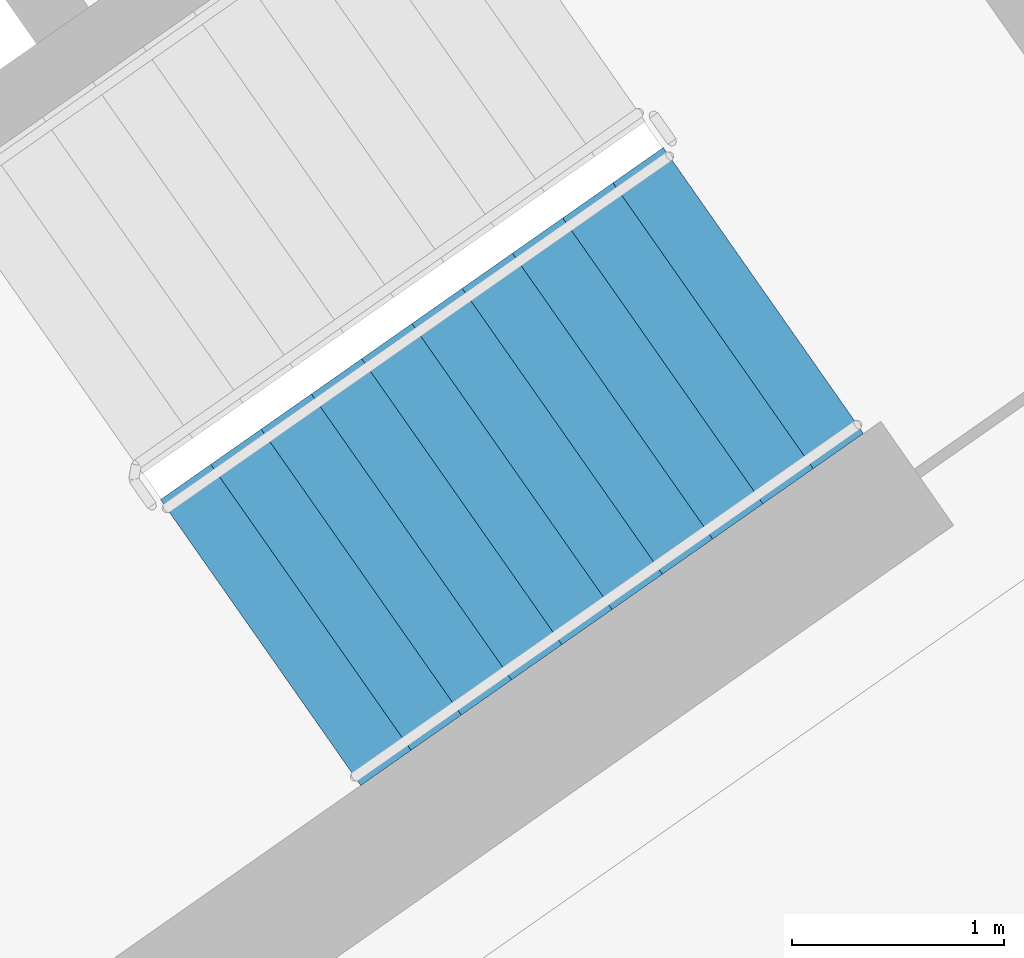
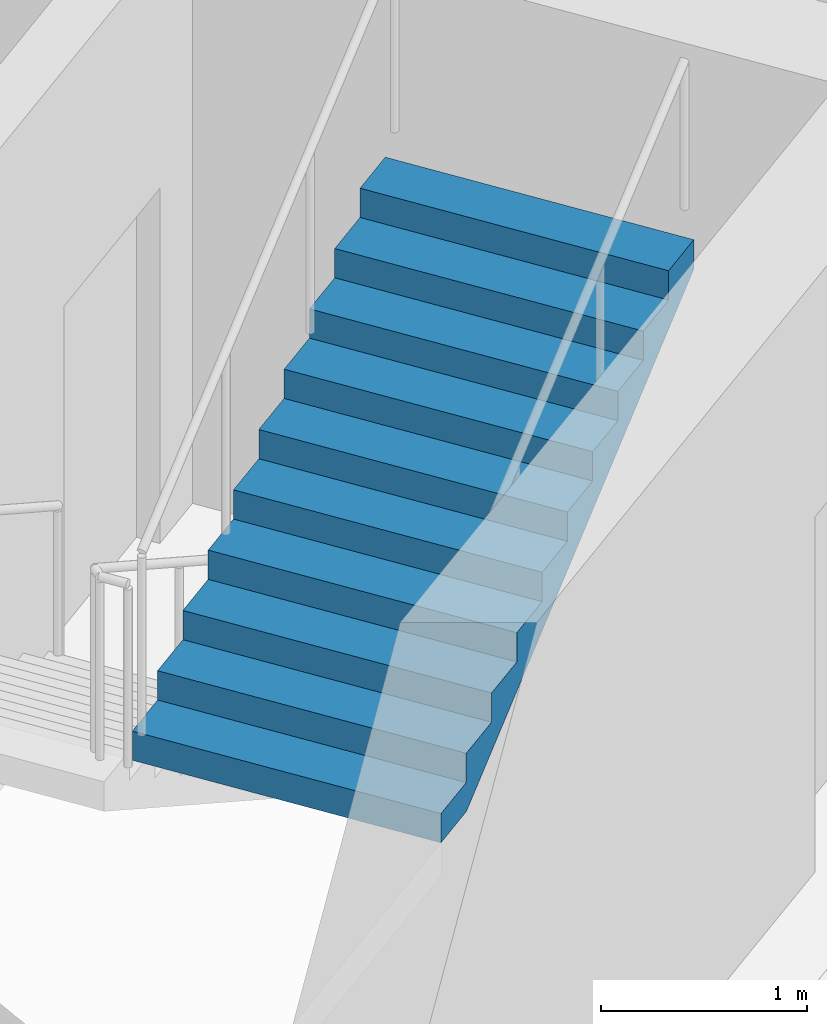
# One storey, part 15 of 27: 1 stair flight, 1 element without a shape of its own.
"""IFC4 building model written with IfcOpenShell, lengths in metres."""

from ifc_helpers import new_model, si_unit, direction, frame, origin, place, context, subcontext, project, spatial, faceted_brep, material, type_object, element, aggregate, save


model = new_model("IFC4")

# Units and contexts
model_context = context("Model", 3, precision=1e-05, world=origin(), true_north=direction((0.0, 1.0)))
body_context = subcontext(model_context, "Body", "Model", "MODEL_VIEW")
ifc_project = project(units=[si_unit("LENGTHUNIT", "METRE"), si_unit("AREAUNIT", "SQUARE_METRE"), si_unit("VOLUMEUNIT", "CUBIC_METRE"), si_unit("PLANEANGLEUNIT", "RADIAN"), si_unit("MASSUNIT", "GRAM", prefix="KILO")], contexts=[model_context])

# Site, building, storey
site_placement = place(None, origin())
site = spatial("IfcSite", under=ifc_project, at=site_placement, CompositionType="ELEMENT")
building_placement = place(site_placement, origin())
building = spatial("IfcBuilding", under=site, at=building_placement, Name="Qamariyya Broadcast Tower", CompositionType="ELEMENT")
storey_placement = place(building_placement, frame((0.0, 0.0, 187.300048828125)))
storey = spatial("IfcBuildingStorey", under=building, at=storey_placement, Name="L44", CompositionType="ELEMENT", Elevation=187.300048828125)

# Stair, stair flight
ifc_material = material(Name="Concrete C50/60", Category="concrete")
stair_type = type_object("IfcStairType", Name="Exit stair 22 risers of 173 mm", PredefinedType="HALF_TURN_STAIR", material=ifc_material)
stair_placement = place(storey_placement, origin())
stair = element("IfcStair", 1, at=stair_placement, inside=storey, type_object=stair_type, Name="L44 Stair E1", PredefinedType="HALF_TURN_STAIR")
stair_flight_type = type_object("IfcStairFlightType", Name="Exit stair flight 11 risers of 173 mm", PredefinedType="STRAIGHT", material=ifc_material)
stair_flight_placement = place(storey_placement, frame((44.693359375, -58.64599609375, 1.89990234375), z_axis=(0.0, 0.0, 1.0), x_axis=(0.819152044289, 0.573576436351, 0.0)))
stair_flight = element("IfcStairFlight", 2, at=stair_flight_placement, type_object=stair_flight_type, Name="ST-E1 flight 2", NumberOfRisers=11, NumberOfTreads=10, PredefinedType="STRAIGHT", RiserHeight=0.172727273, TreadLength=0.29, context=body_context, shape_type="Brep", body=[
    faceted_brep([(0.0, 0.824951171875, 0.0), (0.0, 0.824951171875, 0.172607421875), (0.2900390625, 0.824951171875, 0.172607421875), (0.2900390625, 0.824951171875, 0.345458984375), (0.580078125, 0.824951171875, 0.345458984375), (0.580078125, 0.824951171875, 0.51806640625), (0.8701171875, 0.824951171875, 0.51806640625), (0.8701171875, 0.824951171875, 0.69091796875), (1.159912109375, 0.824951171875, 0.69091796875), (1.159912109375, 0.824951171875, 0.863525390625), (1.449951171875, 0.824951171875, 0.863525390625), (1.449951171875, 0.824951171875, 1.036376953125), (1.739990234375, 0.824951171875, 1.036376953125), (1.739990234375, 0.824951171875, 1.208984375), (2.030029296875, 0.824951171875, 1.208984375), (2.030029296875, 0.824951171875, 1.3818359375), (2.320068359375, 0.824951171875, 1.3818359375), (2.320068359375, 0.824951171875, 1.554443359375), (2.610107421875, 0.824951171875, 1.554443359375), (2.610107421875, 0.824951171875, 1.727294921875), (2.89990234375, 0.824951171875, 1.727294921875), (2.89990234375, 0.824951171875, 1.552734375), (0.29296875, 0.824951171875, 0.0), (0.29296875, -0.824951171875, 0.0), (2.89990234375, -0.824951171875, 1.552734375), (2.89990234375, -0.824951171875, 1.727294921875), (2.610107421875, -0.824951171875, 1.727294921875), (2.610107421875, -0.824951171875, 1.554443359375), (2.320068359375, -0.824951171875, 1.554443359375), (2.320068359375, -0.824951171875, 1.3818359375), (2.030029296875, -0.824951171875, 1.3818359375), (2.030029296875, -0.824951171875, 1.208984375), (1.739990234375, -0.824951171875, 1.208984375), (1.739990234375, -0.824951171875, 1.036376953125), (1.449951171875, -0.824951171875, 1.036376953125), (1.449951171875, -0.824951171875, 0.863525390625), (1.159912109375, -0.824951171875, 0.863525390625), (1.159912109375, -0.824951171875, 0.69091796875), (0.8701171875, -0.824951171875, 0.69091796875), (0.8701171875, -0.824951171875, 0.51806640625), (0.580078125, -0.824951171875, 0.51806640625), (0.580078125, -0.824951171875, 0.345458984375), (0.2900390625, -0.824951171875, 0.345458984375), (0.2900390625, -0.824951171875, 0.172607421875), (0.0, -0.824951171875, 0.172607421875), (0.0, -0.824951171875, 0.0), (0.0, 0.10009765625, 0.0), (0.0, 0.086669921875, 0.0), (0.0, 0.0732421875, 0.0), (0.0, 0.06005859375, 0.0), (0.0, 0.046630859375, 0.0), (0.0, 0.033447265625, 0.0), (0.0, 0.02001953125, 0.0), (0.0, 0.006591796875, 0.0), (0.0, -0.006591796875, 0.0), (0.0, -0.02001953125, 0.0), (0.0, -0.033447265625, 0.0), (0.0, -0.046630859375, 0.0), (0.0, -0.06005859375, 0.0), (0.0, -0.0732421875, 0.0), (0.0, -0.086669921875, 0.0), (0.0, -0.10009765625, 0.0), (0.0, -0.10009765625, 0.172607421875), (0.0, -0.086669921875, 0.172607421875), (0.0, -0.0732421875, 0.172607421875), (0.0, -0.06005859375, 0.172607421875), (0.0, -0.046630859375, 0.172607421875), (0.0, -0.033447265625, 0.172607421875), (0.0, -0.02001953125, 0.172607421875), (0.0, -0.006591796875, 0.172607421875), (0.0, 0.006591796875, 0.172607421875), (0.0, 0.02001953125, 0.172607421875), (0.0, 0.033447265625, 0.172607421875), (0.0, 0.046630859375, 0.172607421875), (0.0, 0.06005859375, 0.172607421875), (0.0, 0.0732421875, 0.172607421875), (0.0, 0.086669921875, 0.172607421875), (0.0, 0.10009765625, 0.172607421875), (0.2900390625, -0.10009765625, 0.172607421875), (0.2900390625, -0.086669921875, 0.172607421875), (0.2900390625, -0.0732421875, 0.172607421875), (0.2900390625, -0.06005859375, 0.172607421875), (0.2900390625, -0.046630859375, 0.172607421875), (0.2900390625, -0.033447265625, 0.172607421875), (0.2900390625, -0.02001953125, 0.172607421875), (0.2900390625, -0.006591796875, 0.172607421875), (0.2900390625, 0.006591796875, 0.172607421875), (0.2900390625, 0.02001953125, 0.172607421875), (0.2900390625, 0.033447265625, 0.172607421875), (0.2900390625, 0.046630859375, 0.172607421875), (0.2900390625, 0.06005859375, 0.172607421875), (0.2900390625, 0.0732421875, 0.172607421875), (0.2900390625, 0.086669921875, 0.172607421875), (0.2900390625, 0.10009765625, 0.172607421875), (0.2900390625, -0.10009765625, 0.345458984375), (0.2900390625, -0.086669921875, 0.345458984375), (0.2900390625, -0.0732421875, 0.345458984375), (0.2900390625, -0.06005859375, 0.345458984375), (0.2900390625, -0.046630859375, 0.345458984375), (0.2900390625, -0.033447265625, 0.345458984375), (0.2900390625, -0.02001953125, 0.345458984375), (0.2900390625, -0.006591796875, 0.345458984375), (0.2900390625, 0.006591796875, 0.345458984375), (0.2900390625, 0.02001953125, 0.345458984375), (0.2900390625, 0.033447265625, 0.345458984375), (0.2900390625, 0.046630859375, 0.345458984375), (0.2900390625, 0.06005859375, 0.345458984375), (0.2900390625, 0.0732421875, 0.345458984375), (0.2900390625, 0.086669921875, 0.345458984375), (0.2900390625, 0.10009765625, 0.345458984375), (0.580078125, -0.10009765625, 0.345458984375), (0.580078125, -0.086669921875, 0.345458984375), (0.580078125, -0.0732421875, 0.345458984375), (0.580078125, -0.06005859375, 0.345458984375), (0.580078125, -0.046630859375, 0.345458984375), (0.580078125, -0.033447265625, 0.345458984375), (0.580078125, -0.02001953125, 0.345458984375), (0.580078125, -0.006591796875, 0.345458984375), (0.580078125, 0.006591796875, 0.345458984375), (0.580078125, 0.02001953125, 0.345458984375), (0.580078125, 0.033447265625, 0.345458984375), (0.580078125, 0.046630859375, 0.345458984375), (0.580078125, 0.06005859375, 0.345458984375), (0.580078125, 0.0732421875, 0.345458984375), (0.580078125, 0.086669921875, 0.345458984375), (0.580078125, 0.10009765625, 0.345458984375), (0.580078125, -0.10009765625, 0.51806640625), (0.580078125, -0.086669921875, 0.51806640625), (0.580078125, -0.0732421875, 0.51806640625), (0.580078125, -0.06005859375, 0.51806640625), (0.580078125, -0.046630859375, 0.51806640625), (0.580078125, -0.033447265625, 0.51806640625), (0.580078125, -0.02001953125, 0.51806640625), (0.580078125, -0.006591796875, 0.51806640625), (0.580078125, 0.006591796875, 0.51806640625), (0.580078125, 0.02001953125, 0.51806640625), (0.580078125, 0.033447265625, 0.51806640625), (0.580078125, 0.046630859375, 0.51806640625), (0.580078125, 0.06005859375, 0.51806640625), (0.580078125, 0.0732421875, 0.51806640625), (0.580078125, 0.086669921875, 0.51806640625), (0.580078125, 0.10009765625, 0.51806640625), (0.8701171875, -0.10009765625, 0.51806640625), (0.8701171875, -0.086669921875, 0.51806640625), (0.8701171875, -0.0732421875, 0.51806640625), (0.8701171875, -0.06005859375, 0.51806640625), (0.8701171875, -0.046630859375, 0.51806640625), (0.8701171875, -0.033447265625, 0.51806640625), (0.8701171875, -0.02001953125, 0.51806640625), (0.8701171875, -0.006591796875, 0.51806640625), (0.8701171875, 0.006591796875, 0.51806640625), (0.8701171875, 0.02001953125, 0.51806640625), (0.8701171875, 0.033447265625, 0.51806640625), (0.8701171875, 0.046630859375, 0.51806640625), (0.8701171875, 0.06005859375, 0.51806640625), (0.8701171875, 0.0732421875, 0.51806640625), (0.8701171875, 0.086669921875, 0.51806640625), (0.8701171875, 0.10009765625, 0.51806640625), (0.8701171875, -0.10009765625, 0.69091796875), (0.8701171875, -0.086669921875, 0.69091796875), (0.8701171875, -0.0732421875, 0.69091796875), (0.8701171875, -0.06005859375, 0.69091796875), (0.8701171875, -0.046630859375, 0.69091796875), (0.8701171875, -0.033447265625, 0.69091796875), (0.8701171875, -0.02001953125, 0.69091796875), (0.8701171875, -0.006591796875, 0.69091796875), (0.8701171875, 0.006591796875, 0.69091796875), (0.8701171875, 0.02001953125, 0.69091796875), (0.8701171875, 0.033447265625, 0.69091796875), (0.8701171875, 0.046630859375, 0.69091796875), (0.8701171875, 0.06005859375, 0.69091796875), (0.8701171875, 0.0732421875, 0.69091796875), (0.8701171875, 0.086669921875, 0.69091796875), (0.8701171875, 0.10009765625, 0.69091796875), (1.159912109375, -0.10009765625, 0.69091796875), (1.159912109375, -0.086669921875, 0.69091796875), (1.159912109375, -0.0732421875, 0.69091796875), (1.159912109375, -0.06005859375, 0.69091796875), (1.159912109375, -0.046630859375, 0.69091796875), (1.159912109375, -0.033447265625, 0.69091796875), (1.159912109375, -0.02001953125, 0.69091796875), (1.159912109375, -0.006591796875, 0.69091796875), (1.159912109375, 0.006591796875, 0.69091796875), (1.159912109375, 0.02001953125, 0.69091796875), (1.159912109375, 0.033447265625, 0.69091796875), (1.159912109375, 0.046630859375, 0.69091796875), (1.159912109375, 0.06005859375, 0.69091796875), (1.159912109375, 0.0732421875, 0.69091796875), (1.159912109375, 0.086669921875, 0.69091796875), (1.159912109375, 0.10009765625, 0.69091796875), (1.159912109375, -0.10009765625, 0.863525390625), (1.159912109375, -0.086669921875, 0.863525390625), (1.159912109375, -0.0732421875, 0.863525390625), (1.159912109375, -0.06005859375, 0.863525390625), (1.159912109375, -0.046630859375, 0.863525390625), (1.159912109375, -0.033447265625, 0.863525390625), (1.159912109375, -0.02001953125, 0.863525390625), (1.159912109375, -0.006591796875, 0.863525390625), (1.159912109375, 0.006591796875, 0.863525390625), (1.159912109375, 0.02001953125, 0.863525390625), (1.159912109375, 0.033447265625, 0.863525390625), (1.159912109375, 0.046630859375, 0.863525390625), (1.159912109375, 0.06005859375, 0.863525390625), (1.159912109375, 0.0732421875, 0.863525390625), (1.159912109375, 0.086669921875, 0.863525390625), (1.159912109375, 0.10009765625, 0.863525390625), (1.449951171875, -0.10009765625, 0.863525390625), (1.449951171875, -0.086669921875, 0.863525390625), (1.449951171875, -0.0732421875, 0.863525390625), (1.449951171875, -0.06005859375, 0.863525390625), (1.449951171875, -0.046630859375, 0.863525390625), (1.449951171875, -0.033447265625, 0.863525390625), (1.449951171875, -0.02001953125, 0.863525390625), (1.449951171875, -0.006591796875, 0.863525390625), (1.449951171875, 0.006591796875, 0.863525390625), (1.449951171875, 0.02001953125, 0.863525390625), (1.449951171875, 0.033447265625, 0.863525390625), (1.449951171875, 0.046630859375, 0.863525390625), (1.449951171875, 0.06005859375, 0.863525390625), (1.449951171875, 0.0732421875, 0.863525390625), (1.449951171875, 0.086669921875, 0.863525390625), (1.449951171875, 0.10009765625, 0.863525390625), (1.449951171875, -0.10009765625, 1.036376953125), (1.449951171875, -0.086669921875, 1.036376953125), (1.449951171875, -0.0732421875, 1.036376953125), (1.449951171875, -0.06005859375, 1.036376953125), (1.449951171875, -0.046630859375, 1.036376953125), (1.449951171875, -0.033447265625, 1.036376953125), (1.449951171875, -0.02001953125, 1.036376953125), (1.449951171875, -0.006591796875, 1.036376953125), (1.449951171875, 0.006591796875, 1.036376953125), (1.449951171875, 0.02001953125, 1.036376953125), (1.449951171875, 0.033447265625, 1.036376953125), (1.449951171875, 0.046630859375, 1.036376953125), (1.449951171875, 0.06005859375, 1.036376953125), (1.449951171875, 0.0732421875, 1.036376953125), (1.449951171875, 0.086669921875, 1.036376953125), (1.449951171875, 0.10009765625, 1.036376953125), (1.739990234375, -0.10009765625, 1.036376953125), (1.739990234375, -0.086669921875, 1.036376953125), (1.739990234375, -0.0732421875, 1.036376953125), (1.739990234375, -0.06005859375, 1.036376953125), (1.739990234375, -0.046630859375, 1.036376953125), (1.739990234375, -0.033447265625, 1.036376953125), (1.739990234375, -0.02001953125, 1.036376953125), (1.739990234375, -0.006591796875, 1.036376953125), (1.739990234375, 0.006591796875, 1.036376953125), (1.739990234375, 0.02001953125, 1.036376953125), (1.739990234375, 0.033447265625, 1.036376953125), (1.739990234375, 0.046630859375, 1.036376953125), (1.739990234375, 0.06005859375, 1.036376953125), (1.739990234375, 0.0732421875, 1.036376953125), (1.739990234375, 0.086669921875, 1.036376953125), (1.739990234375, 0.10009765625, 1.036376953125), (1.739990234375, -0.10009765625, 1.208984375), (1.739990234375, -0.086669921875, 1.208984375), (1.739990234375, -0.0732421875, 1.208984375), (1.739990234375, -0.06005859375, 1.208984375), (1.739990234375, -0.046630859375, 1.208984375), (1.739990234375, -0.033447265625, 1.208984375), (1.739990234375, -0.02001953125, 1.208984375), (1.739990234375, -0.006591796875, 1.208984375), (1.739990234375, 0.006591796875, 1.208984375), (1.739990234375, 0.02001953125, 1.208984375), (1.739990234375, 0.033447265625, 1.208984375), (1.739990234375, 0.046630859375, 1.208984375), (1.739990234375, 0.06005859375, 1.208984375), (1.739990234375, 0.0732421875, 1.208984375), (1.739990234375, 0.086669921875, 1.208984375), (1.739990234375, 0.10009765625, 1.208984375), (2.030029296875, -0.10009765625, 1.208984375), (2.030029296875, -0.086669921875, 1.208984375), (2.030029296875, -0.0732421875, 1.208984375), (2.030029296875, -0.06005859375, 1.208984375), (2.030029296875, -0.046630859375, 1.208984375), (2.030029296875, -0.033447265625, 1.208984375), (2.030029296875, -0.02001953125, 1.208984375), (2.030029296875, -0.006591796875, 1.208984375), (2.030029296875, 0.006591796875, 1.208984375), (2.030029296875, 0.02001953125, 1.208984375), (2.030029296875, 0.033447265625, 1.208984375), (2.030029296875, 0.046630859375, 1.208984375), (2.030029296875, 0.06005859375, 1.208984375), (2.030029296875, 0.0732421875, 1.208984375), (2.030029296875, 0.086669921875, 1.208984375), (2.030029296875, 0.10009765625, 1.208984375), (2.030029296875, -0.10009765625, 1.3818359375), (2.030029296875, -0.086669921875, 1.3818359375), (2.030029296875, -0.0732421875, 1.3818359375), (2.030029296875, -0.06005859375, 1.3818359375), (2.030029296875, -0.046630859375, 1.3818359375), (2.030029296875, -0.033447265625, 1.3818359375), (2.030029296875, -0.02001953125, 1.3818359375), (2.030029296875, -0.006591796875, 1.3818359375), (2.030029296875, 0.006591796875, 1.3818359375), (2.030029296875, 0.02001953125, 1.3818359375), (2.030029296875, 0.033447265625, 1.3818359375), (2.030029296875, 0.046630859375, 1.3818359375), (2.030029296875, 0.06005859375, 1.3818359375), (2.030029296875, 0.0732421875, 1.3818359375), (2.030029296875, 0.086669921875, 1.3818359375), (2.030029296875, 0.10009765625, 1.3818359375), (2.320068359375, -0.10009765625, 1.3818359375), (2.320068359375, -0.086669921875, 1.3818359375), (2.320068359375, -0.0732421875, 1.3818359375), (2.320068359375, -0.06005859375, 1.3818359375), (2.320068359375, -0.046630859375, 1.3818359375), (2.320068359375, -0.033447265625, 1.3818359375), (2.320068359375, -0.02001953125, 1.3818359375), (2.320068359375, -0.006591796875, 1.3818359375), (2.320068359375, 0.006591796875, 1.3818359375), (2.320068359375, 0.02001953125, 1.3818359375), (2.320068359375, 0.033447265625, 1.3818359375), (2.320068359375, 0.046630859375, 1.3818359375), (2.320068359375, 0.06005859375, 1.3818359375), (2.320068359375, 0.0732421875, 1.3818359375), (2.320068359375, 0.086669921875, 1.3818359375), (2.320068359375, 0.10009765625, 1.3818359375), (2.320068359375, -0.10009765625, 1.554443359375), (2.320068359375, -0.086669921875, 1.554443359375), (2.320068359375, -0.0732421875, 1.554443359375), (2.320068359375, -0.06005859375, 1.554443359375), (2.320068359375, -0.046630859375, 1.554443359375), (2.320068359375, -0.033447265625, 1.554443359375), (2.320068359375, -0.02001953125, 1.554443359375), (2.320068359375, -0.006591796875, 1.554443359375), (2.320068359375, 0.006591796875, 1.554443359375), (2.320068359375, 0.02001953125, 1.554443359375), (2.320068359375, 0.033447265625, 1.554443359375), (2.320068359375, 0.046630859375, 1.554443359375), (2.320068359375, 0.06005859375, 1.554443359375), (2.320068359375, 0.0732421875, 1.554443359375), (2.320068359375, 0.086669921875, 1.554443359375), (2.320068359375, 0.10009765625, 1.554443359375), (2.610107421875, -0.10009765625, 1.554443359375), (2.610107421875, -0.086669921875, 1.554443359375), (2.610107421875, -0.0732421875, 1.554443359375), (2.610107421875, -0.06005859375, 1.554443359375), (2.610107421875, -0.046630859375, 1.554443359375), (2.610107421875, -0.033447265625, 1.554443359375), (2.610107421875, -0.02001953125, 1.554443359375), (2.610107421875, -0.006591796875, 1.554443359375), (2.610107421875, 0.006591796875, 1.554443359375), (2.610107421875, 0.02001953125, 1.554443359375), (2.610107421875, 0.033447265625, 1.554443359375), (2.610107421875, 0.046630859375, 1.554443359375), (2.610107421875, 0.06005859375, 1.554443359375), (2.610107421875, 0.0732421875, 1.554443359375), (2.610107421875, 0.086669921875, 1.554443359375), (2.610107421875, 0.10009765625, 1.554443359375), (2.610107421875, -0.10009765625, 1.727294921875), (2.610107421875, -0.086669921875, 1.727294921875), (2.610107421875, -0.0732421875, 1.727294921875), (2.610107421875, -0.06005859375, 1.727294921875), (2.610107421875, -0.046630859375, 1.727294921875), (2.610107421875, -0.033447265625, 1.727294921875), (2.610107421875, -0.02001953125, 1.727294921875), (2.610107421875, -0.006591796875, 1.727294921875), (2.610107421875, 0.006591796875, 1.727294921875), (2.610107421875, 0.02001953125, 1.727294921875), (2.610107421875, 0.033447265625, 1.727294921875), (2.610107421875, 0.046630859375, 1.727294921875), (2.610107421875, 0.06005859375, 1.727294921875), (2.610107421875, 0.0732421875, 1.727294921875), (2.610107421875, 0.086669921875, 1.727294921875), (2.610107421875, 0.10009765625, 1.727294921875), (2.89990234375, -0.10009765625, 1.727294921875), (2.89990234375, -0.086669921875, 1.727294921875), (2.89990234375, -0.0732421875, 1.727294921875), (2.89990234375, -0.06005859375, 1.727294921875), (2.89990234375, -0.046630859375, 1.727294921875), (2.89990234375, -0.033447265625, 1.727294921875), (2.89990234375, -0.02001953125, 1.727294921875), (2.89990234375, -0.006591796875, 1.727294921875), (2.89990234375, 0.006591796875, 1.727294921875), (2.89990234375, 0.02001953125, 1.727294921875), (2.89990234375, 0.033447265625, 1.727294921875), (2.89990234375, 0.046630859375, 1.727294921875), (2.89990234375, 0.06005859375, 1.727294921875), (2.89990234375, 0.0732421875, 1.727294921875), (2.89990234375, 0.086669921875, 1.727294921875), (2.89990234375, 0.10009765625, 1.727294921875), (2.89990234375, -0.10009765625, 1.552734375), (2.89990234375, -0.086669921875, 1.552734375), (2.89990234375, -0.0732421875, 1.552734375), (2.89990234375, -0.06005859375, 1.552734375), (2.89990234375, -0.046630859375, 1.552734375), (2.89990234375, -0.033447265625, 1.552734375), (2.89990234375, -0.02001953125, 1.552734375), (2.89990234375, -0.006591796875, 1.552734375), (2.89990234375, 0.006591796875, 1.552734375), (2.89990234375, 0.02001953125, 1.552734375), (2.89990234375, 0.033447265625, 1.552734375), (2.89990234375, 0.046630859375, 1.552734375), (2.89990234375, 0.06005859375, 1.552734375), (2.89990234375, 0.0732421875, 1.552734375), (2.89990234375, 0.086669921875, 1.552734375), (2.89990234375, 0.10009765625, 1.552734375), (0.29296875, -0.10009765625, 0.0), (0.29296875, -0.086669921875, 0.0), (0.29296875, -0.0732421875, 0.0), (0.29296875, -0.06005859375, 0.0), (0.29296875, -0.046630859375, 0.0), (0.29296875, -0.033447265625, 0.0), (0.29296875, -0.02001953125, 0.0), (0.29296875, -0.006591796875, 0.0), (0.29296875, 0.006591796875, 0.0), (0.29296875, 0.02001953125, 0.0), (0.29296875, 0.033447265625, 0.0), (0.29296875, 0.046630859375, 0.0), (0.29296875, 0.06005859375, 0.0), (0.29296875, 0.0732421875, 0.0), (0.29296875, 0.086669921875, 0.0), (0.29296875, 0.10009765625, 0.0)], [[[0, 1, 2, 3, 4, 5, 6, 7, 8, 9, 10, 11, 12, 13, 14, 15, 16, 17, 18, 19, 20, 21, 22]], [[23, 24, 25, 26, 27, 28, 29, 30, 31, 32, 33, 34, 35, 36, 37, 38, 39, 40, 41, 42, 43, 44, 45]], [[0, 46, 47, 48, 49, 50, 51, 52, 53, 54, 55, 56, 57, 58, 59, 60, 61, 45, 44, 62, 63, 64, 65, 66, 67, 68, 69, 70, 71, 72, 73, 74, 75, 76, 77, 1]], [[1, 77, 76, 75, 74, 73, 72, 71, 70, 69, 68, 67, 66, 65, 64, 63, 62, 44, 43, 78, 79, 80, 81, 82, 83, 84, 85, 86, 87, 88, 89, 90, 91, 92, 93, 2]], [[2, 93, 92, 91, 90, 89, 88, 87, 86, 85, 84, 83, 82, 81, 80, 79, 78, 43, 42, 94, 95, 96, 97, 98, 99, 100, 101, 102, 103, 104, 105, 106, 107, 108, 109, 3]], [[3, 109, 108, 107, 106, 105, 104, 103, 102, 101, 100, 99, 98, 97, 96, 95, 94, 42, 41, 110, 111, 112, 113, 114, 115, 116, 117, 118, 119, 120, 121, 122, 123, 124, 125, 4]], [[4, 125, 124, 123, 122, 121, 120, 119, 118, 117, 116, 115, 114, 113, 112, 111, 110, 41, 40, 126, 127, 128, 129, 130, 131, 132, 133, 134, 135, 136, 137, 138, 139, 140, 141, 5]], [[5, 141, 140, 139, 138, 137, 136, 135, 134, 133, 132, 131, 130, 129, 128, 127, 126, 40, 39, 142, 143, 144, 145, 146, 147, 148, 149, 150, 151, 152, 153, 154, 155, 156, 157, 6]], [[6, 157, 156, 155, 154, 153, 152, 151, 150, 149, 148, 147, 146, 145, 144, 143, 142, 39, 38, 158, 159, 160, 161, 162, 163, 164, 165, 166, 167, 168, 169, 170, 171, 172, 173, 7]], [[7, 173, 172, 171, 170, 169, 168, 167, 166, 165, 164, 163, 162, 161, 160, 159, 158, 38, 37, 174, 175, 176, 177, 178, 179, 180, 181, 182, 183, 184, 185, 186, 187, 188, 189, 8]], [[8, 189, 188, 187, 186, 185, 184, 183, 182, 181, 180, 179, 178, 177, 176, 175, 174, 37, 36, 190, 191, 192, 193, 194, 195, 196, 197, 198, 199, 200, 201, 202, 203, 204, 205, 9]], [[9, 205, 204, 203, 202, 201, 200, 199, 198, 197, 196, 195, 194, 193, 192, 191, 190, 36, 35, 206, 207, 208, 209, 210, 211, 212, 213, 214, 215, 216, 217, 218, 219, 220, 221, 10]], [[10, 221, 220, 219, 218, 217, 216, 215, 214, 213, 212, 211, 210, 209, 208, 207, 206, 35, 34, 222, 223, 224, 225, 226, 227, 228, 229, 230, 231, 232, 233, 234, 235, 236, 237, 11]], [[11, 237, 236, 235, 234, 233, 232, 231, 230, 229, 228, 227, 226, 225, 224, 223, 222, 34, 33, 238, 239, 240, 241, 242, 243, 244, 245, 246, 247, 248, 249, 250, 251, 252, 253, 12]], [[12, 253, 252, 251, 250, 249, 248, 247, 246, 245, 244, 243, 242, 241, 240, 239, 238, 33, 32, 254, 255, 256, 257, 258, 259, 260, 261, 262, 263, 264, 265, 266, 267, 268, 269, 13]], [[13, 269, 268, 267, 266, 265, 264, 263, 262, 261, 260, 259, 258, 257, 256, 255, 254, 32, 31, 270, 271, 272, 273, 274, 275, 276, 277, 278, 279, 280, 281, 282, 283, 284, 285, 14]], [[14, 285, 284, 283, 282, 281, 280, 279, 278, 277, 276, 275, 274, 273, 272, 271, 270, 31, 30, 286, 287, 288, 289, 290, 291, 292, 293, 294, 295, 296, 297, 298, 299, 300, 301, 15]], [[15, 301, 300, 299, 298, 297, 296, 295, 294, 293, 292, 291, 290, 289, 288, 287, 286, 30, 29, 302, 303, 304, 305, 306, 307, 308, 309, 310, 311, 312, 313, 314, 315, 316, 317, 16]], [[16, 317, 316, 315, 314, 313, 312, 311, 310, 309, 308, 307, 306, 305, 304, 303, 302, 29, 28, 318, 319, 320, 321, 322, 323, 324, 325, 326, 327, 328, 329, 330, 331, 332, 333, 17]], [[17, 333, 332, 331, 330, 329, 328, 327, 326, 325, 324, 323, 322, 321, 320, 319, 318, 28, 27, 334, 335, 336, 337, 338, 339, 340, 341, 342, 343, 344, 345, 346, 347, 348, 349, 18]], [[18, 349, 348, 347, 346, 345, 344, 343, 342, 341, 340, 339, 338, 337, 336, 335, 334, 27, 26, 350, 351, 352, 353, 354, 355, 356, 357, 358, 359, 360, 361, 362, 363, 364, 365, 19]], [[19, 365, 364, 363, 362, 361, 360, 359, 358, 357, 356, 355, 354, 353, 352, 351, 350, 26, 25, 366, 367, 368, 369, 370, 371, 372, 373, 374, 375, 376, 377, 378, 379, 380, 381, 20]], [[20, 381, 380, 379, 378, 377, 376, 375, 374, 373, 372, 371, 370, 369, 368, 367, 366, 25, 24, 382, 383, 384, 385, 386, 387, 388, 389, 390, 391, 392, 393, 394, 395, 396, 397, 21]], [[21, 397, 396, 395, 394, 393, 392, 391, 390, 389, 388, 387, 386, 385, 384, 383, 382, 24, 23, 398, 399, 400, 401, 402, 403, 404, 405, 406, 407, 408, 409, 410, 411, 412, 413, 22]], [[22, 413, 412, 411, 410, 409, 408, 407, 406, 405, 404, 403, 402, 401, 400, 399, 398, 23, 45, 61, 60, 59, 58, 57, 56, 55, 54, 53, 52, 51, 50, 49, 48, 47, 46, 0]]]),
])
aggregate(stair, [stair_flight])

save(model, "model.ifc")
